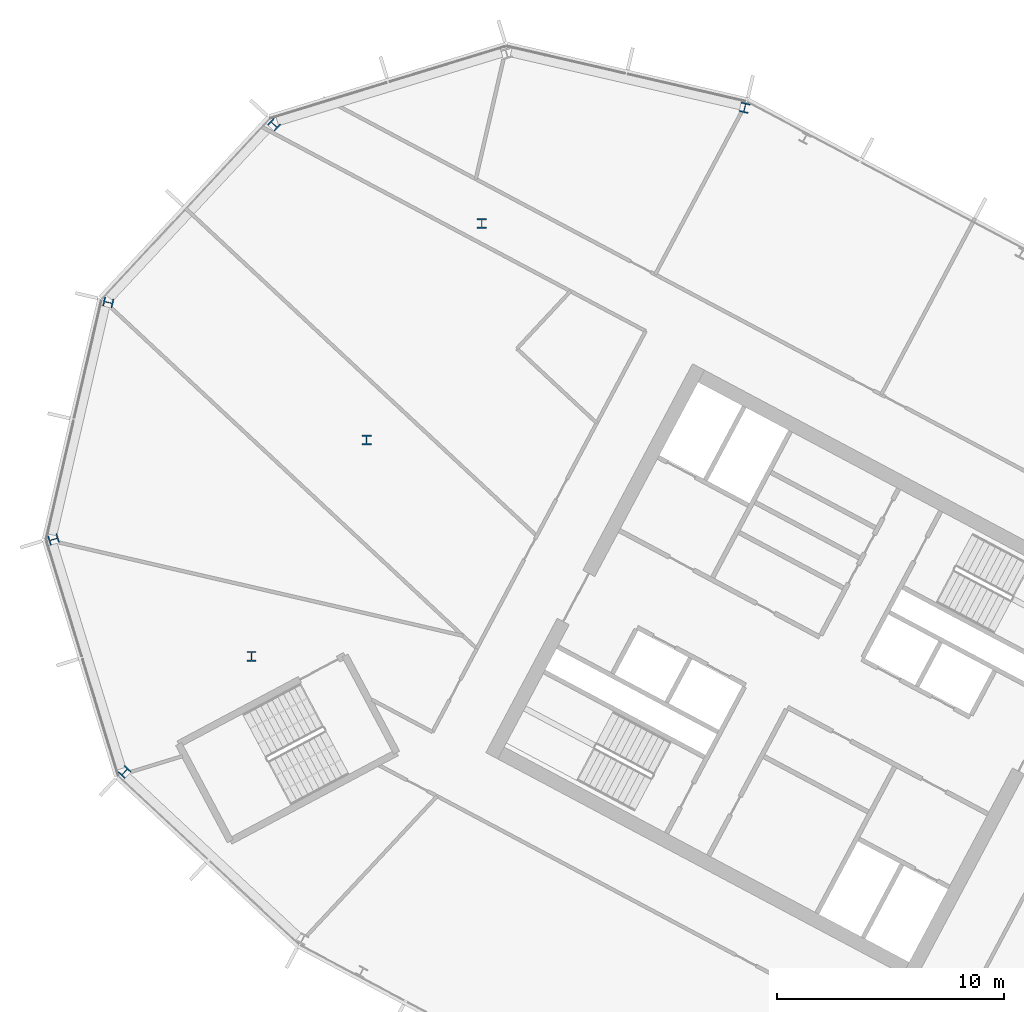
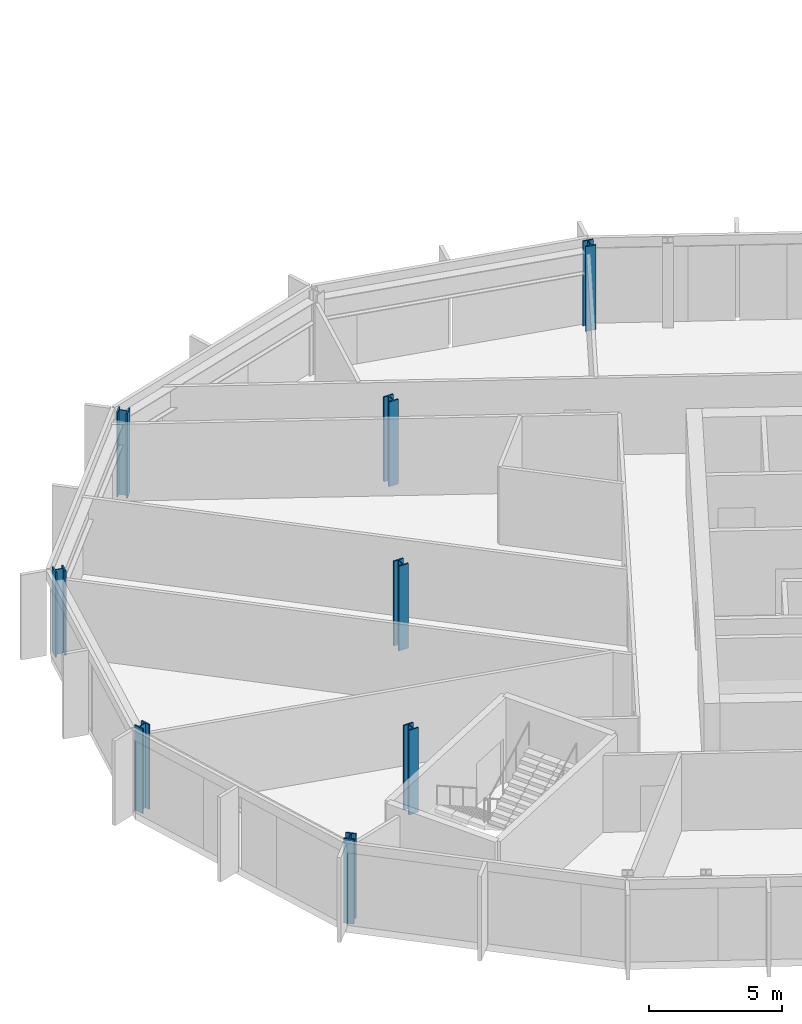
# One storey, part 3 of 27: 8 columns.
"""IFC4 building model written with IfcOpenShell, lengths in metres."""

from ifc_helpers import new_model, si_unit, direction, frame, origin, origin_2d, place, context, subcontext, project, spatial, i_section, extrude, material, material_profile, profile_set, type_object, element, save


model = new_model("IFC4")

# Units and contexts
model_context = context("Model", 3, precision=1e-05, world=origin(), true_north=direction((0.0, 1.0)))
body_context = subcontext(model_context, "Body", "Model", "MODEL_VIEW")
ifc_project = project(units=[si_unit("LENGTHUNIT", "METRE"), si_unit("AREAUNIT", "SQUARE_METRE"), si_unit("VOLUMEUNIT", "CUBIC_METRE"), si_unit("PLANEANGLEUNIT", "RADIAN"), si_unit("MASSUNIT", "GRAM", prefix="KILO")], contexts=[model_context])

# Site, building, storey
site_placement = place(None, origin())
site = spatial("IfcSite", under=ifc_project, at=site_placement, CompositionType="ELEMENT")
building_placement = place(site_placement, origin())
building = spatial("IfcBuilding", under=site, at=building_placement, Name="Cormorant Relay Tower", CompositionType="ELEMENT")
storey_placement = place(building_placement, frame((0.0, 0.0, 201.300048828125)))
storey = spatial("IfcBuildingStorey", under=building, at=storey_placement, Name="L43", CompositionType="ELEMENT", Elevation=201.300048828125)

# Columns
ifc_material = material(Name="Steel ASTM A992 (Fy 345 MPa)", Category="steel")
ifc_material_profile = material_profile(ifc_material, i_section(OverallWidth=0.41162109375, OverallDepth=0.434326171875, WebThickness=0.035888671875, FlangeThickness=0.057373046875, FilletRadius=0.01513671875, at=origin_2d()), Name="W360x463")
ifc_profile_set = profile_set([ifc_material_profile], Name="Steel ASTM A992 (Fy 345 MPa)")
column_type = type_object("IfcColumnType", Name="Column W360x463", PredefinedType="COLUMN", material=ifc_profile_set)
for number, where, z_axis, x_axis, name in (
    (1, (-57.279052734375, 10.162109375, 0.0), (0.0, 0.0, 1.0), (0.731353701619, -0.681998360062, 0.0), "Column L43-022"),
    (2, (-51.68994140625, 15.251953125, 0.0), (0.0, 0.0, 1.0), (1.0, 0.0, 0.0), "Column L43-027"),
    (3, (-60.409912109375, 20.404052734375, 0.0), (0.0, 0.0, 1.0), (0.292371704723, -0.956304755963, 0.0), "Column L43-028"),
    (4, (-46.6201171875, 24.7880859375, 0.0), (0.0, 0.0, 1.0), (1.0, 0.0, 0.0), "Column L43-031"),
    (5, (-58.0009765625, 30.840087890625, 0.0), (0.0, 0.0, 1.0), (-0.224951054344, -0.974370064785, 0.0), "Column L43-034"),
    (6, (-41.549072265625, 34.323974609375, 0.0), (0.0, 0.0, 1.0), (1.0, 0.0, 0.0), "Column L43-038"),
    (7, (-50.697021484375, 38.672119140625, 0.0), (0.0, 0.0, 1.0), (-0.681998360062, -0.731353701619, 0.0), "Column L43-042"),
    (8, (-29.968017578125, 39.4150390625, 0.0), (0.0, 0.0, 1.0), (-0.974370064785, 0.224951054344, 0.0), "Column L43-044"),
):
    element("IfcColumn", number, at=place(storey_placement, frame(where, z_axis=z_axis, x_axis=x_axis)), inside=storey, type_object=column_type, Name=name, PredefinedType="COLUMN", context=body_context, shape_type="SweptSolid", body=[
        extrude(i_section(OverallWidth=0.41162109375, OverallDepth=0.434326171875, WebThickness=0.035888671875, FlangeThickness=0.057373046875, FilletRadius=0.01513671875, at=origin_2d()), origin(), (0.0, 0.0, 1.0), 3.89990234375),
    ])

save(model, "model.ifc")
